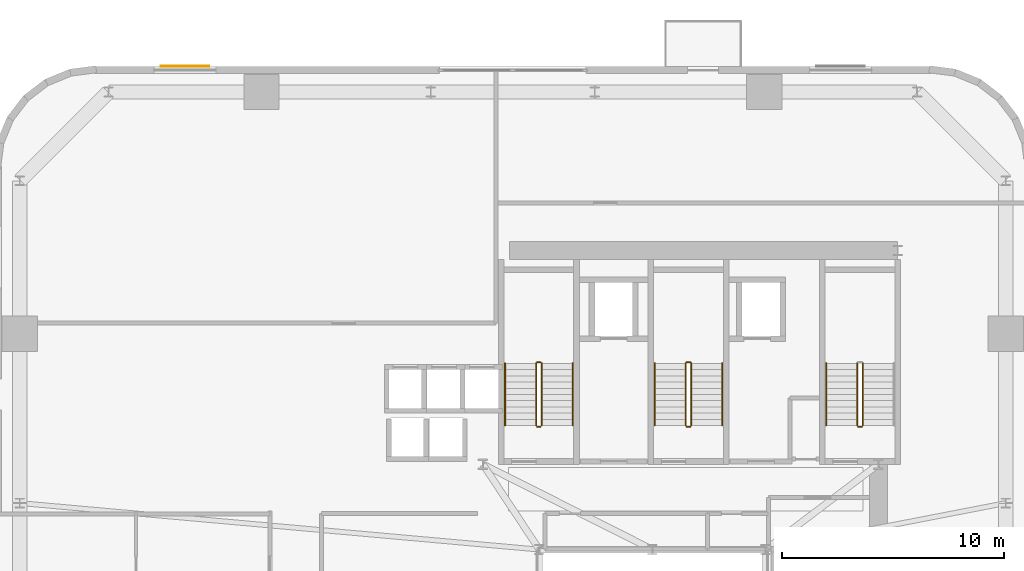
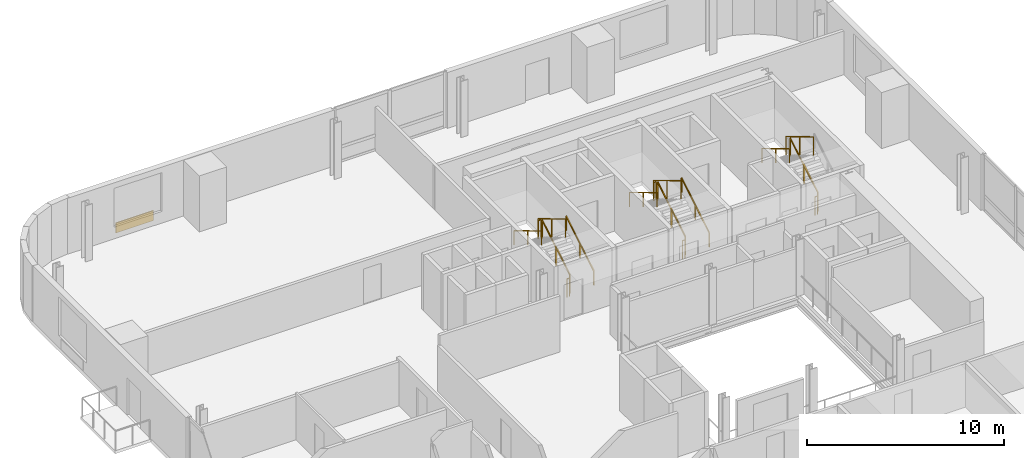
# One storey, part 11 of 12: 16 railings, 1 covering.
"""IFC4 building model written with IfcOpenShell, lengths in metres."""

import ifcopenshell
import ifcopenshell.guid

model = None  # the IFC model being written
_history = None  # IfcOwnerHistory: only IFC2X3 demands one
_inside = {}  # id of a spatial element -> (the spatial element, [elements in it])
_under = {}  # id of a project, library or spatial element -> (it, [spatial elements below it])
_declared = {}  # id of a project -> (the project, [libraries it declares])
_typed = {}  # id of a type object -> (the type object, [elements of that type])
_made_of = {}  # id of a material, layer set ... -> (it, [elements and type objects made of it])


def new_model(schema):
    """Start an empty IFC model of exactly this schema.

    Asked for "IFC4X3", IfcOpenShell would pick the latest addendum, in which some entities
    have other attributes; the version numbers below select the first issue.
    IFC2X3 requires an IfcOwnerHistory on every rooted entity: one is made here for all.
    """
    global model, _history
    if schema == "IFC4X3":
        model = ifcopenshell.file(schema_version=(4, 3, 0, 0))
    else:
        model = ifcopenshell.file(schema=schema)
    _inside.clear()
    _under.clear()
    _declared.clear()
    _typed.clear()
    _made_of.clear()
    _history = None
    if model.schema == "IFC2X3":
        org = make("IfcOrganization", Name="unknown")
        user = make(
            "IfcPersonAndOrganization",
            ThePerson=make("IfcPerson", FamilyName="unknown"),
            TheOrganization=org,
        )
        app = make(
            "IfcApplication",
            ApplicationDeveloper=org,
            Version="unknown",
            ApplicationFullName="unknown",
            ApplicationIdentifier="unknown",
        )
        _history = make(
            "IfcOwnerHistory",
            OwningUser=user,
            OwningApplication=app,
            ChangeAction="ADDED",
            CreationDate=0,
        )
    return model


def make(cls, **values):
    """One entity of the class cls with the attributes given. An attribute that is None is left unset."""
    return model.create_entity(
        cls, **{name: value for name, value in values.items() if value is not None}
    )


def rooted(cls, **values):
    """An entity with a GlobalId (a new one), such as an element, a storey or a relation."""
    return make(cls, GlobalId=ifcopenshell.guid.new(), OwnerHistory=_history, **values)


def si_unit(unit_type, name, prefix=None):
    """IfcSIUnit, for example si_unit("LENGTHUNIT", "METRE", prefix="MILLI")."""
    return make("IfcSIUnit", UnitType=unit_type, Prefix=prefix, Name=name)


def assignment(units):
    """IfcUnitAssignment: the units of a project."""
    return None if units is None else make("IfcUnitAssignment", Units=units)


def point(xyz):
    """IfcCartesianPoint."""
    return None if xyz is None else make("IfcCartesianPoint", Coordinates=xyz)


def direction(xyz):
    """IfcDirection."""
    return None if xyz is None else make("IfcDirection", DirectionRatios=xyz)


def frame(location, z_axis=None, x_axis=None):
    """IfcAxis2Placement3D, a coordinate frame: its origin and axes. An axis left out is left unset."""
    return make(
        "IfcAxis2Placement3D",
        Location=point(location),
        Axis=direction(z_axis),
        RefDirection=direction(x_axis),
    )


def frame_2d(location, x_axis=None):
    """IfcAxis2Placement2D, a coordinate frame in the plane: its origin and x axis."""
    return make(
        "IfcAxis2Placement2D", Location=point(location), RefDirection=direction(x_axis)
    )


def origin():
    """The frame at (0, 0, 0) with its axes left unset."""
    return frame((0.0, 0.0, 0.0))


def origin_2d():
    """The frame at (0, 0) in the plane with its x axis left unset."""
    return frame_2d((0.0, 0.0))


def place(relative_to, where):
    """IfcLocalPlacement: puts the frame where relative to a parent placement (None: the world)."""
    return make(
        "IfcLocalPlacement", PlacementRelTo=relative_to, RelativePlacement=where
    )


def context(
    kind, dimensions, precision=None, world=None, true_north=None, identifier=None
):
    """IfcGeometricRepresentationContext, for example the 3D "Model" context."""
    return make(
        "IfcGeometricRepresentationContext",
        ContextIdentifier=identifier,
        ContextType=kind,
        CoordinateSpaceDimension=dimensions,
        Precision=precision,
        WorldCoordinateSystem=world,
        TrueNorth=true_north,
    )


def subcontext(parent, identifier, kind, view, scale=None):
    """IfcGeometricRepresentationSubContext, for example "Body" below "Model"."""
    return make(
        "IfcGeometricRepresentationSubContext",
        ContextIdentifier=identifier,
        ContextType=kind,
        ParentContext=parent,
        TargetScale=scale,
        TargetView=view,
    )


def project(units=None, contexts=None):
    """IfcProject with its units and contexts."""
    return rooted(
        "IfcProject",
        Name="project",
        RepresentationContexts=contexts,
        UnitsInContext=assignment(units),
    )


def spatial(cls, under=None, at=None, **own):
    """A site, building, storey or space (cls), placed at a placement, below another one or the project."""
    s = rooted(cls, ObjectPlacement=at, **own)
    if under is not None:
        _under.setdefault(under.id(), (under, []))[1].append(s)
    return s


def profile(cls, at=None, kind="AREA", **sizes):
    """A parametric profile (cls). Its sizes go by their IFC names, for example OverallWidth=200.0."""
    return make(cls, ProfileType=kind, Position=at, **sizes)


def rectangle(**sizes):
    """IfcRectangleProfileDef."""
    return profile("IfcRectangleProfileDef", **sizes)


def extrude(swept, where, along, depth):
    """IfcExtrudedAreaSolid: the profile swept, set in the frame where, extruded along a direction by depth."""
    return make(
        "IfcExtrudedAreaSolid",
        SweptArea=swept,
        Position=where,
        ExtrudedDirection=direction(along),
        Depth=depth,
    )


def shape(context_of_items, identifier, shape_type, items):
    """IfcShapeRepresentation: the items that make up one representation, for example the "Body"."""
    return make(
        "IfcShapeRepresentation",
        ContextOfItems=context_of_items,
        RepresentationIdentifier=identifier,
        RepresentationType=shape_type,
        Items=items,
    )


def source(mapping_origin, context_of_items, identifier, shape_type, items):
    """IfcRepresentationMap: a shape defined once, which mapped items show again and again."""
    return make(
        "IfcRepresentationMap",
        MappingOrigin=mapping_origin,
        MappedRepresentation=shape(context_of_items, identifier, shape_type, items),
    )


def transform(
    local_origin,
    x_axis=None,
    y_axis=None,
    z_axis=None,
    scale=None,
    scale2=None,
    scale3=None,
    uniform=True,
):
    """IfcCartesianTransformationOperator3D, or its non-uniform kind. x_axis, y_axis, z_axis: its Axis1, 2, 3."""
    if uniform:
        return make(
            "IfcCartesianTransformationOperator3D",
            Axis1=direction(x_axis),
            Axis2=direction(y_axis),
            LocalOrigin=point(local_origin),
            Scale=scale,
            Axis3=direction(z_axis),
        )
    return make(
        "IfcCartesianTransformationOperator3DnonUniform",
        Axis1=direction(x_axis),
        Axis2=direction(y_axis),
        LocalOrigin=point(local_origin),
        Scale=scale,
        Axis3=direction(z_axis),
        Scale2=scale2,
        Scale3=scale3,
    )


def mapped(mapping_source, mapping_target):
    """IfcMappedItem: shows the shape of a source again, moved by a transform."""
    return make(
        "IfcMappedItem", MappingSource=mapping_source, MappingTarget=mapping_target
    )


def material(Name=None, Category=None):
    """IfcMaterial."""
    return make("IfcMaterial", Name=Name, Category=Category)


def layer(
    of_material, thickness, ventilated=None, Name=None, Category=None, Priority=None
):
    """IfcMaterialLayer: one layer of a wall or slab, of a material (None: an air gap)."""
    return make(
        "IfcMaterialLayer",
        Material=of_material,
        LayerThickness=thickness,
        IsVentilated=ventilated,
        Name=Name,
        Category=Category,
        Priority=Priority,
    )


def layer_set(layers, Name=None):
    """IfcMaterialLayerSet."""
    return make("IfcMaterialLayerSet", MaterialLayers=layers, LayerSetName=Name)


def made_of(thing, what):
    """Note that an element or type object is made of a material, layer set ...; save() writes the relation."""
    if what is not None:
        _made_of.setdefault(what.id(), (what, []))[1].append(thing)
    return thing


def type_object(cls, material=None, **own):
    """A type object (cls), such as IfcWallType, which elements share."""
    return made_of(rooted(cls, **own), material)


def element(
    cls,
    number,
    at=None,
    inside=None,
    cuts=None,
    type_object=None,
    material=None,
    context=None,
    identifier="Body",
    shape_type=None,
    held_by="IfcProductDefinitionShape",
    body=None,
    shapes=None,
    **own,
):
    """One element of the class cls, such as IfcWall. Its Tag is "e" and its number.

    at: its placement. inside: the storey or other place that contains it. cuts: it is an
    opening in that element (IfcRelVoidsElement). A single representation is given by context,
    identifier, shape_type and body (its items); several are given by shapes. held_by: the class
    of the entity that holds the representations. save() writes the other relations.
    """
    e = rooted(cls, Tag="e%d" % number, ObjectPlacement=at, **own)
    if body is not None:
        shapes = [shape(context, identifier, shape_type, body)]
    if shapes is not None:
        e.Representation = make(held_by, Representations=shapes)
    if inside is not None:
        _inside.setdefault(inside.id(), (inside, []))[1].append(e)
    if cuts is not None:
        rooted(
            "IfcRelVoidsElement", RelatingBuildingElement=cuts, RelatedOpeningElement=e
        )
    if type_object is not None:
        _typed.setdefault(type_object.id(), (type_object, []))[1].append(e)
    return made_of(e, material)


def aggregate(whole, parts):
    """IfcRelAggregates: a whole, such as a stair, and the parts it consists of."""
    return rooted("IfcRelAggregates", RelatingObject=whole, RelatedObjects=parts)


def save(model, path):
    """Write the relations noted so far, then the file.

    IfcRelAggregates (storeys below a building ...), IfcRelContainedInSpatialStructure (elements
    in a storey), IfcRelDefinesByType, IfcRelAssociatesMaterial and IfcRelDeclares: one each for
    every whole, place, type object, material and project.
    """
    for whole, parts in _under.values():
        aggregate(whole, parts)
    for where, things in _inside.values():
        rooted(
            "IfcRelContainedInSpatialStructure",
            RelatedElements=things,
            RelatingStructure=where,
        )
    for kind, things in _typed.values():
        rooted("IfcRelDefinesByType", RelatedObjects=things, RelatingType=kind)
    for what, things in _made_of.values():
        rooted("IfcRelAssociatesMaterial", RelatedObjects=things, RelatingMaterial=what)
    for by, libraries in _declared.values():
        rooted("IfcRelDeclares", RelatingContext=by, RelatedDefinitions=libraries)
    model.write(path)


model = new_model("IFC4")

# Units and contexts
model_context = context("Model", 3, precision=1e-05, world=origin(), true_north=direction((0.0, 1.0)))
body_context = subcontext(model_context, "Body", "Model", "MODEL_VIEW")
ifc_project = project(units=[si_unit("LENGTHUNIT", "METRE"), si_unit("AREAUNIT", "SQUARE_METRE"), si_unit("VOLUMEUNIT", "CUBIC_METRE"), si_unit("PLANEANGLEUNIT", "RADIAN"), si_unit("MASSUNIT", "GRAM", prefix="KILO")], contexts=[model_context])

# Site, building, storey
site_placement = place(None, origin())
site = spatial("IfcSite", under=ifc_project, at=site_placement, CompositionType="ELEMENT")
building_placement = place(site_placement, origin())
building = spatial("IfcBuilding", under=site, at=building_placement, Name="Vardaveli Station Tower", CompositionType="ELEMENT")
storey_placement = place(building_placement, frame((0.0, 0.0, 118.699951171875)))
storey = spatial("IfcBuildingStorey", under=building, at=storey_placement, Name="L30", CompositionType="ELEMENT", Elevation=118.699951171875)

# Covering
ifc_material_1 = material(Name="Ventilated honed travertine stone cladding", Category="masonry")
ifc_layer = layer(ifc_material_1, 0.044921875, Name="Ventilated honed travertine stone cladding")
ifc_layer_set = layer_set([ifc_layer], Name="Ventilated honed travertine stone cladding")
covering_type = type_object("IfcCoveringType", Name="COV-CLAD-TR45", PredefinedType="CLADDING", material=ifc_layer_set)
shared_shape_1 = source(origin(), body_context, "Body", "SweptSolid", [
    extrude(rectangle(XDim=2.199951171875, YDim=0.044921875, at=origin_2d()), origin(), (0.0, 0.0, 1.0), 0.6201171875),
])
covering_placement = place(storey_placement, frame((15.205078125, 48.614501953125, 0.070068359375), z_axis=(0.0, 0.0, 1.0), x_axis=(1.0, 0.0, 0.0)))
element("IfcCovering", 1, at=covering_placement, inside=storey, type_object=covering_type, Name="CLD-TR-L30-N", PredefinedType="CLADDING", context=body_context, shape_type="MappedRepresentation", body=[
    mapped(shared_shape_1, transform((0.0, 0.0, 0.0), scale=1.0)),
])

# Railings
ifc_material_2 = material(Name="Brushed AISI 316 stainless steel", Category="steel")
railing_type_1 = type_object("IfcRailingType", Name="RL-GUARD-1150", PredefinedType="GUARDRAIL", material=ifc_material_2)
shared_shape_2 = source(origin(), body_context, "Body", "SweptSolid", [
    extrude(rectangle(XDim=0.048095703125, YDim=0.048095703125, at=origin_2d()), frame((0.0, 0.0, 1.1259765625), z_axis=(-1.0, 0.0, 0.0), x_axis=(0.0, -1.0, 0.0)), (0.0, 0.0, 1.0), 0.14990234375),
    extrude(rectangle(XDim=0.0419921875, YDim=0.0419921875, at=origin_2d()), origin(), (0.0, 0.0, 1.0), 1.101806640625),
    extrude(rectangle(XDim=0.0419921875, YDim=0.0419921875, at=origin_2d()), frame((-0.14990234375, 0.0, 0.0)), (0.0, 0.0, 1.0), 1.101806640625),
])
for number, where, name in (
    (2, (31.25, 35.25, 1.85009765625), "L30 ST-1 stair guard 2"),
    (3, (31.25, 32.35009765625, 0.0), "L30 ST-1 stair guard 4"),
    (4, (38.0, 35.25, 1.85009765625), "L30 ST-2 stair guard 2"),
    (5, (38.0, 32.35009765625, 0.0), "L30 ST-2 stair guard 4"),
    (6, (45.75, 32.35009765625, 0.0), "L30 ST-3 stair guard 4"),
):
    element("IfcRailing", number, at=place(storey_placement, frame(where)), inside=storey, type_object=railing_type_1, Name=name, PredefinedType="GUARDRAIL", context=body_context, shape_type="MappedRepresentation", body=[
        mapped(shared_shape_2, transform((0.0, 0.0, 0.0), scale=1.0)),
    ])
shared_shape_3 = source(origin(), body_context, "Body", "SweptSolid", [
    extrude(rectangle(XDim=0.048095703125, YDim=0.048095703125, at=origin_2d()), frame((0.0, 0.0, 1.1259765625), z_axis=(0.0, 0.857242210791, 0.514913383045), x_axis=(-1.0, 0.0, 0.0)), (0.0, 0.0, 1.0), 3.266357421875),
    extrude(rectangle(XDim=0.0419921875, YDim=0.0419921875, at=origin_2d()), origin(), (0.0, 0.0, 1.0), 1.101806640625),
    extrude(rectangle(XDim=0.0419921875, YDim=0.0419921875, at=origin_2d()), frame((0.0, 1.39990234375, 0.8408203125)), (0.0, 0.0, 1.0), 1.101806640625),
    extrude(rectangle(XDim=0.0419921875, YDim=0.0419921875, at=origin_2d()), frame((0.0, 2.800048828125, 1.681884765625)), (0.0, 0.0, 1.0), 1.101806640625),
])
for number, where, name in (
    (7, (31.300048828125, 32.39990234375, 0.168212890625), "L30 ST-1 stair guard 1"),
    (8, (38.050048828125, 32.39990234375, 0.168212890625), "L30 ST-2 stair guard 1"),
    (9, (45.800048828125, 32.39990234375, 0.168212890625), "L30 ST-3 stair guard 1"),
):
    element("IfcRailing", number, at=place(storey_placement, frame(where)), inside=storey, type_object=railing_type_1, Name=name, PredefinedType="GUARDRAIL", context=body_context, shape_type="MappedRepresentation", body=[
        mapped(shared_shape_3, transform((0.0, 0.0, 0.0), scale=1.0)),
    ])
railing_type_2 = type_object("IfcRailingType", Name="RL-HAND-900", PredefinedType="HANDRAIL", material=ifc_material_2)
shared_shape_4 = source(origin(), body_context, "Body", "SweptSolid", [
    extrude(rectangle(XDim=0.048095703125, YDim=0.048095703125, at=origin_2d()), frame((0.0, 0.0, 0.8759765625), z_axis=(0.0, 0.857242210791, 0.514913383045), x_axis=(-1.0, 0.0, 0.0)), (0.0, 0.0, 1.0), 3.266357421875),
    extrude(rectangle(XDim=0.0419921875, YDim=0.0419921875, at=origin_2d()), origin(), (0.0, 0.0, 1.0), 0.851806640625),
    extrude(rectangle(XDim=0.0419921875, YDim=0.0419921875, at=origin_2d()), frame((0.0, 1.39990234375, 0.8408203125)), (0.0, 0.0, 1.0), 0.851806640625),
    extrude(rectangle(XDim=0.0419921875, YDim=0.0419921875, at=origin_2d()), frame((0.0, 2.800048828125, 1.681884765625)), (0.0, 0.0, 1.0), 0.851806640625),
])
for number, where, name in (
    (10, (32.699951171875, 32.39990234375, 0.168212890625), "L30 ST-1 stair handrail 1"),
    (11, (39.449951171875, 32.39990234375, 0.168212890625), "L30 ST-2 stair handrail 1"),
):
    element("IfcRailing", number, at=place(storey_placement, frame(where)), inside=storey, type_object=railing_type_2, Name=name, PredefinedType="HANDRAIL", context=body_context, shape_type="MappedRepresentation", body=[
        mapped(shared_shape_4, transform((0.0, 0.0, 0.0), scale=1.0)),
    ])
shared_shape_5 = source(origin(), body_context, "Body", "SweptSolid", [
    extrude(rectangle(XDim=0.048095703125, YDim=0.048095703125, at=origin_2d()), frame((0.0, 0.0, 1.1259765625), z_axis=(0.0, -0.857275202839, 0.514858452973), x_axis=(1.0, 0.0, 0.0)), (0.0, 0.0, 1.0), 3.26611328125),
    extrude(rectangle(XDim=0.0419921875, YDim=0.0419921875, at=origin_2d()), origin(), (0.0, 0.0, 1.0), 1.101806640625),
    extrude(rectangle(XDim=0.0419921875, YDim=0.0419921875, at=origin_2d()), frame((0.0, -1.39990234375, 0.8408203125)), (0.0, 0.0, 1.0), 1.101806640625),
    extrude(rectangle(XDim=0.0419921875, YDim=0.0419921875, at=origin_2d()), frame((0.0, -2.800048828125, 1.681640625)), (0.0, 0.0, 1.0), 1.101806640625),
])
for number, where, name in (
    (12, (31.050048828125, 35.199951171875, 2.018310546875), "L30 ST-1 stair guard 3"),
    (13, (37.800048828125, 35.199951171875, 2.018310546875), "L30 ST-2 stair guard 3"),
    (14, (45.550048828125, 35.199951171875, 2.018310546875), "L30 ST-3 stair guard 3"),
):
    element("IfcRailing", number, at=place(storey_placement, frame(where)), inside=storey, type_object=railing_type_1, Name=name, PredefinedType="GUARDRAIL", context=body_context, shape_type="MappedRepresentation", body=[
        mapped(shared_shape_5, transform((0.0, 0.0, 0.0), scale=1.0)),
    ])
shared_shape_6 = source(origin(), body_context, "Body", "SweptSolid", [
    extrude(rectangle(XDim=0.048095703125, YDim=0.048095703125, at=origin_2d()), frame((0.0, 0.0, 0.8759765625), z_axis=(0.0, -0.857275202839, 0.514858452973), x_axis=(1.0, 0.0, 0.0)), (0.0, 0.0, 1.0), 3.26611328125),
    extrude(rectangle(XDim=0.0419921875, YDim=0.0419921875, at=origin_2d()), origin(), (0.0, 0.0, 1.0), 0.851806640625),
    extrude(rectangle(XDim=0.0419921875, YDim=0.0419921875, at=origin_2d()), frame((0.0, -1.39990234375, 0.8408203125)), (0.0, 0.0, 1.0), 0.851806640625),
    extrude(rectangle(XDim=0.0419921875, YDim=0.0419921875, at=origin_2d()), frame((0.0, -2.800048828125, 1.681640625)), (0.0, 0.0, 1.0), 0.851806640625),
])
for number, where, name in (
    (15, (29.64990234375, 35.199951171875, 2.018310546875), "L30 ST-1 stair handrail 2"),
    (16, (36.39990234375, 35.199951171875, 2.018310546875), "L30 ST-2 stair handrail 2"),
    (17, (44.14990234375, 35.199951171875, 2.018310546875), "L30 ST-3 stair handrail 2"),
):
    element("IfcRailing", number, at=place(storey_placement, frame(where)), inside=storey, type_object=railing_type_2, Name=name, PredefinedType="HANDRAIL", context=body_context, shape_type="MappedRepresentation", body=[
        mapped(shared_shape_6, transform((0.0, 0.0, 0.0), scale=1.0)),
    ])

save(model, "model.ifc")
